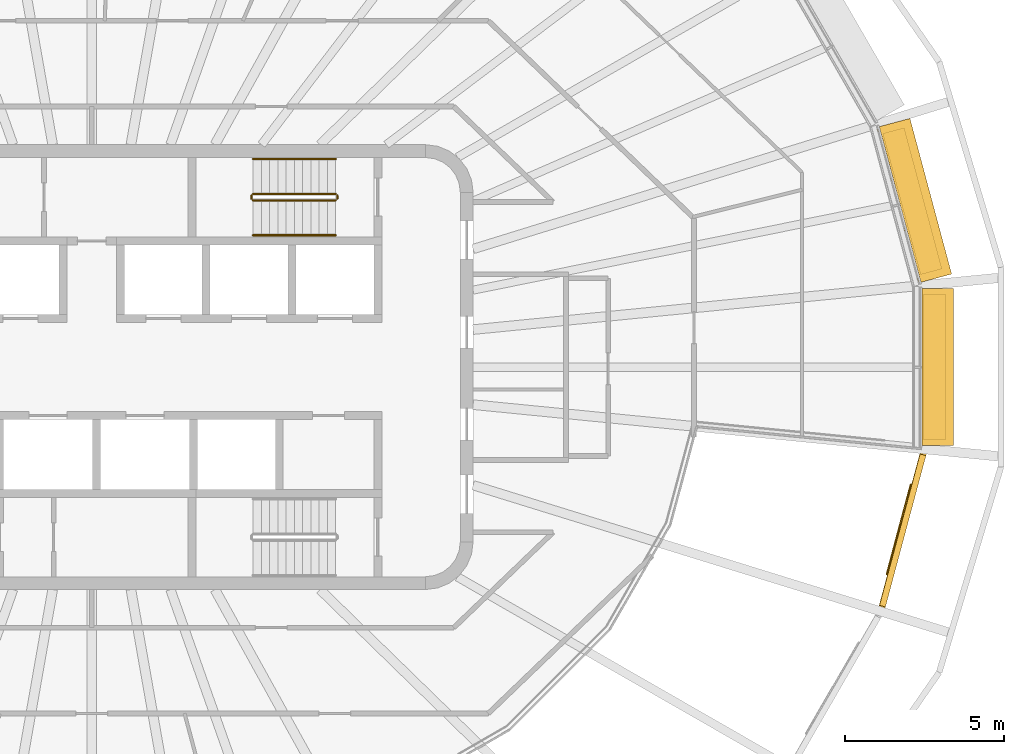
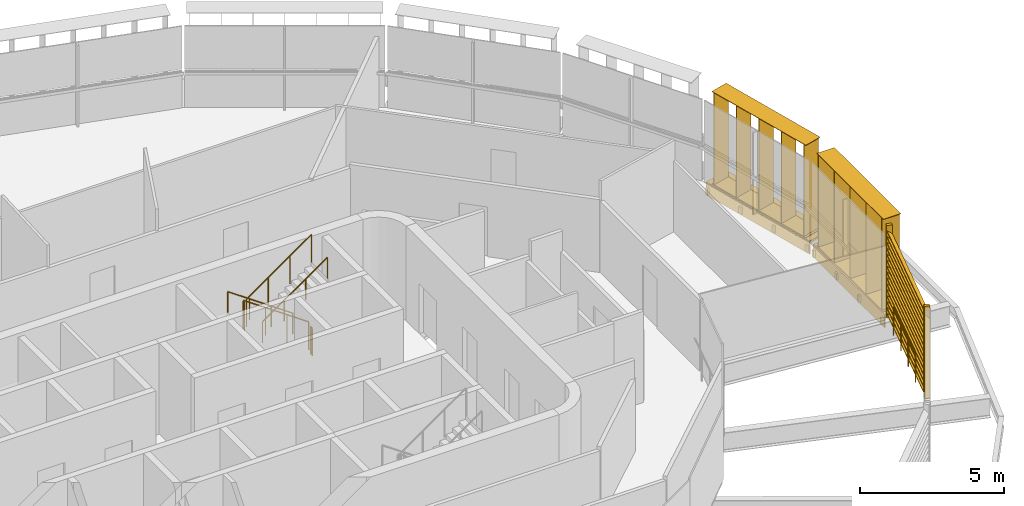
# One storey, part 17 of 18: 7 railings, 5 shading devices.
"""IFC4 building model written with IfcOpenShell, lengths in metres."""

from ifc_helpers import new_model, si_unit, direction, frame, origin, origin_2d, place, context, subcontext, project, spatial, rectangle, circle, extrude, material, type_object, element, save


model = new_model("IFC4")

# Units and contexts
model_context = context("Model", 3, precision=1e-05, world=origin(), true_north=direction((0.0, 1.0)))
body_context = subcontext(model_context, "Body", "Model", "MODEL_VIEW")
ifc_project = project(units=[si_unit("LENGTHUNIT", "METRE"), si_unit("AREAUNIT", "SQUARE_METRE"), si_unit("VOLUMEUNIT", "CUBIC_METRE"), si_unit("PLANEANGLEUNIT", "RADIAN"), si_unit("MASSUNIT", "GRAM", prefix="KILO")], contexts=[model_context])

# Site, building, storey
site_placement = place(None, origin())
site = spatial("IfcSite", under=ifc_project, at=site_placement, CompositionType="ELEMENT")
building_placement = place(site_placement, origin())
building = spatial("IfcBuilding", under=site, at=building_placement, Name="Sahrelin Media Tower", CompositionType="ELEMENT")
storey_placement = place(building_placement, frame((0.0, 0.0, 308.39990234375)))
storey = spatial("IfcBuildingStorey", under=building, at=storey_placement, Name="L68", CompositionType="ELEMENT", Elevation=308.39990234375)

# Shading devices
ifc_material_1 = material(Name="Champagne anodised aluminium 6063-T6", Category="aluminium")
shading_device_type_1 = type_object("IfcShadingDeviceType", Name="Fin cassette", PredefinedType="USERDEFINED", material=ifc_material_1)
placement_1 = place(storey_placement, frame((26.098388671875, 0.0, 0.0), z_axis=(0.0, 0.0, 1.0), x_axis=(0.0, -1.0, 0.0)))
element("IfcShadingDevice", 1, at=placement_1, inside=storey, type_object=shading_device_type_1, Name="L68:FIN:L68-00", ObjectType="FIN", PredefinedType="USERDEFINED", context=body_context, shape_type="SweptSolid", body=[
    extrude(rectangle(XDim=4.60009765625, YDim=0.699951171875, at=origin_2d()), frame((0.0, 0.419921875, 0.0)), (0.0, 0.0, 1.0), 0.02001953125),
    extrude(rectangle(XDim=4.60009765625, YDim=0.699951171875, at=origin_2d()), frame((0.0, 0.419921875, 3.89990234375)), (0.0, 0.0, 1.0), 0.02001953125),
    extrude(rectangle(XDim=0.02001953125, YDim=0.699951171875, at=origin_2d()), frame((-2.199951171875, 0.419921875, 0.010009765625), z_axis=(0.0, 0.0, 1.0), x_axis=(1.0, 0.0, 0.0)), (0.0, 0.0, 1.0), 3.89990234375),
    extrude(rectangle(XDim=0.02001953125, YDim=0.699951171875, at=origin_2d()), frame((-1.10009765625, 0.419921875, 0.010009765625), z_axis=(0.0, 0.0, 1.0), x_axis=(1.0, 0.0, 0.0)), (0.0, 0.0, 1.0), 3.89990234375),
    extrude(rectangle(XDim=0.02001953125, YDim=0.699951171875, at=origin_2d()), frame((0.0, 0.419921875, 0.010009765625), z_axis=(0.0, 0.0, 1.0), x_axis=(1.0, 0.0, 0.0)), (0.0, 0.0, 1.0), 3.89990234375),
    extrude(rectangle(XDim=0.02001953125, YDim=0.699951171875, at=origin_2d()), frame((1.10009765625, 0.419921875, 0.010009765625), z_axis=(0.0, 0.0, 1.0), x_axis=(1.0, 0.0, 0.0)), (0.0, 0.0, 1.0), 3.89990234375),
    extrude(rectangle(XDim=0.02001953125, YDim=0.699951171875, at=origin_2d()), frame((2.199951171875, 0.419921875, 0.010009765625), z_axis=(0.0, 0.0, 1.0), x_axis=(1.0, 0.0, 0.0)), (0.0, 0.0, 1.0), 3.89990234375),
])
placement_2 = place(storey_placement, frame((25.41650390625, 5.113037109375, 0.0), z_axis=(0.0, 0.0, 1.0), x_axis=(0.258807731996, -0.965928857556, 0.0)))
element("IfcShadingDevice", 2, at=placement_2, inside=storey, type_object=shading_device_type_1, Name="L68:FIN:L68-01", ObjectType="FIN", PredefinedType="USERDEFINED", context=body_context, shape_type="SweptSolid", body=[
    extrude(rectangle(XDim=4.60009765625, YDim=0.699951171875, at=origin_2d()), frame((0.0, 0.419921875, 0.0)), (0.0, 0.0, 1.0), 0.02001953125),
    extrude(rectangle(XDim=4.60009765625, YDim=0.699951171875, at=origin_2d()), frame((0.0, 0.419921875, 3.89990234375)), (0.0, 0.0, 1.0), 0.02001953125),
    extrude(rectangle(XDim=0.02001953125, YDim=0.699951171875, at=origin_2d()), frame((-2.199951171875, 0.419921875, 0.010009765625), z_axis=(0.0, 0.0, 1.0), x_axis=(1.0, 0.0, 0.0)), (0.0, 0.0, 1.0), 3.89990234375),
    extrude(rectangle(XDim=0.02001953125, YDim=0.699951171875, at=origin_2d()), frame((-1.10009765625, 0.419921875, 0.010009765625), z_axis=(0.0, 0.0, 1.0), x_axis=(1.0, 0.0, 0.0)), (0.0, 0.0, 1.0), 3.89990234375),
    extrude(rectangle(XDim=0.02001953125, YDim=0.699951171875, at=origin_2d()), frame((0.0, 0.419921875, 0.010009765625), z_axis=(0.0, 0.0, 1.0), x_axis=(1.0, 0.0, 0.0)), (0.0, 0.0, 1.0), 3.89990234375),
    extrude(rectangle(XDim=0.02001953125, YDim=0.699951171875, at=origin_2d()), frame((1.10009765625, 0.419921875, 0.010009765625), z_axis=(0.0, 0.0, 1.0), x_axis=(1.0, 0.0, 0.0)), (0.0, 0.0, 1.0), 3.89990234375),
    extrude(rectangle(XDim=0.02001953125, YDim=0.699951171875, at=origin_2d()), frame((2.199951171875, 0.419921875, 0.010009765625), z_axis=(0.0, 0.0, 1.0), x_axis=(1.0, 0.0, 0.0)), (0.0, 0.0, 1.0), 3.89990234375),
])
shading_device_type_2 = type_object("IfcShadingDeviceType", Name="Garden screen", PredefinedType="USERDEFINED", material=ifc_material_1)
shading_device_3_placement = place(storey_placement, frame((25.41650390625, -5.113037109375, 0.0), z_axis=(0.0, 0.0, 1.0), x_axis=(-0.258807731996, -0.965928857556, 0.0)))
element("IfcShadingDevice", 3, at=shading_device_3_placement, inside=storey, type_object=shading_device_type_2, Name="L68:SCREEN:L68-23", ObjectType="SCREEN", PredefinedType="USERDEFINED", context=body_context, shape_type="SweptSolid", body=[
    extrude(rectangle(XDim=0.1201171875, YDim=0.199951171875, at=origin_2d()), frame((2.52490234375, 0.10009765625, 0.050048828125), z_axis=(0.0, 0.0, 1.0), x_axis=(1.0, 0.0, 0.0)), (0.0, 0.0, 1.0), 3.89990234375),
    extrude(rectangle(XDim=0.1201171875, YDim=0.199951171875, at=origin_2d()), frame((-2.52490234375, 0.10009765625, 0.050048828125), z_axis=(0.0, 0.0, 1.0), x_axis=(1.0, 0.0, 0.0)), (0.0, 0.0, 1.0), 3.89990234375),
    extrude(rectangle(XDim=0.25, YDim=0.02001953125, at=origin_2d()), frame((2.465087890625, 0.10009765625, 0.14990234375), z_axis=(-1.0, 0.0, 0.0), x_axis=(0.0, -0.766044443119, 0.642787609687)), (0.0, 0.0, 1.0), 4.93017578125),
    extrude(rectangle(XDim=0.25, YDim=0.02001953125, at=origin_2d()), frame((2.465087890625, 0.10009765625, 0.39990234375), z_axis=(-1.0, 0.0, 0.0), x_axis=(0.0, -0.766044443119, 0.642787609687)), (0.0, 0.0, 1.0), 4.93017578125),
    extrude(rectangle(XDim=0.25, YDim=0.02001953125, at=origin_2d()), frame((2.465087890625, 0.10009765625, 0.64990234375), z_axis=(-1.0, 0.0, 0.0), x_axis=(0.0, -0.766044443119, 0.642787609687)), (0.0, 0.0, 1.0), 4.93017578125),
    extrude(rectangle(XDim=0.25, YDim=0.02001953125, at=origin_2d()), frame((2.465087890625, 0.10009765625, 0.89990234375), z_axis=(-1.0, 0.0, 0.0), x_axis=(0.0, -0.766044443119, 0.642787609687)), (0.0, 0.0, 1.0), 4.93017578125),
    extrude(rectangle(XDim=0.25, YDim=0.02001953125, at=origin_2d()), frame((2.465087890625, 0.10009765625, 1.14990234375), z_axis=(-1.0, 0.0, 0.0), x_axis=(0.0, -0.766044443119, 0.642787609687)), (0.0, 0.0, 1.0), 4.93017578125),
    extrude(rectangle(XDim=0.25, YDim=0.02001953125, at=origin_2d()), frame((2.465087890625, 0.10009765625, 1.39990234375), z_axis=(-1.0, 0.0, 0.0), x_axis=(0.0, -0.766044443119, 0.642787609687)), (0.0, 0.0, 1.0), 4.93017578125),
    extrude(rectangle(XDim=0.25, YDim=0.02001953125, at=origin_2d()), frame((2.465087890625, 0.10009765625, 1.64990234375), z_axis=(-1.0, 0.0, 0.0), x_axis=(0.0, -0.766044443119, 0.642787609687)), (0.0, 0.0, 1.0), 4.93017578125),
    extrude(rectangle(XDim=0.25, YDim=0.02001953125, at=origin_2d()), frame((2.465087890625, 0.10009765625, 1.89990234375), z_axis=(-1.0, 0.0, 0.0), x_axis=(0.0, -0.766044443119, 0.642787609687)), (0.0, 0.0, 1.0), 4.93017578125),
    extrude(rectangle(XDim=0.25, YDim=0.02001953125, at=origin_2d()), frame((2.465087890625, 0.10009765625, 2.14990234375), z_axis=(-1.0, 0.0, 0.0), x_axis=(0.0, -0.766044443119, 0.642787609687)), (0.0, 0.0, 1.0), 4.93017578125),
    extrude(rectangle(XDim=0.25, YDim=0.02001953125, at=origin_2d()), frame((2.465087890625, 0.10009765625, 2.39990234375), z_axis=(-1.0, 0.0, 0.0), x_axis=(0.0, -0.766044443119, 0.642787609687)), (0.0, 0.0, 1.0), 4.93017578125),
    extrude(rectangle(XDim=0.25, YDim=0.02001953125, at=origin_2d()), frame((2.465087890625, 0.10009765625, 2.64990234375), z_axis=(-1.0, 0.0, 0.0), x_axis=(0.0, -0.766044443119, 0.642787609687)), (0.0, 0.0, 1.0), 4.93017578125),
    extrude(rectangle(XDim=0.25, YDim=0.02001953125, at=origin_2d()), frame((2.465087890625, 0.10009765625, 2.89990234375), z_axis=(-1.0, 0.0, 0.0), x_axis=(0.0, -0.766044443119, 0.642787609687)), (0.0, 0.0, 1.0), 4.93017578125),
    extrude(rectangle(XDim=0.25, YDim=0.02001953125, at=origin_2d()), frame((2.465087890625, 0.10009765625, 3.14990234375), z_axis=(-1.0, 0.0, 0.0), x_axis=(0.0, -0.766044443119, 0.642787609687)), (0.0, 0.0, 1.0), 4.93017578125),
    extrude(rectangle(XDim=0.25, YDim=0.02001953125, at=origin_2d()), frame((2.465087890625, 0.10009765625, 3.39990234375), z_axis=(-1.0, 0.0, 0.0), x_axis=(0.0, -0.766044443119, 0.642787609687)), (0.0, 0.0, 1.0), 4.93017578125),
    extrude(rectangle(XDim=0.25, YDim=0.02001953125, at=origin_2d()), frame((2.465087890625, 0.10009765625, 3.64990234375), z_axis=(-1.0, 0.0, 0.0), x_axis=(0.0, -0.766044443119, 0.642787609687)), (0.0, 0.0, 1.0), 4.93017578125),
])

# Railings
ifc_material_2 = material(Name="Stainless steel 316", Category="steel")
railing_type_1 = type_object("IfcRailingType", Name="Sky garden guard", PredefinedType="GUARDRAIL", material=ifc_material_2)
railing_1_placement = place(storey_placement, frame((25.77294921875, -3.6962890625, 0.0)))
element("IfcRailing", 4, at=railing_1_placement, inside=storey, type_object=railing_type_1, Name="Sky garden void guard G6-2", PredefinedType="GUARDRAIL", context=body_context, shape_type="SweptSolid", body=[
    extrude(circle(Radius=0.02392578125, at=origin_2d()), frame((0.0, 0.0, 1.17578125), z_axis=(-0.258848920045, -0.965917820827, 0.0), x_axis=(0.965917820827, -0.258848920045, 0.0)), (0.0, 0.0, 1.0), 2.920166015625),
    extrude(circle(Radius=0.02099609375, at=origin_2d()), origin(), (0.0, 0.0, 1.0), 1.15185546875),
    extrude(circle(Radius=0.02099609375, at=origin_2d()), frame((-0.251953125, -0.940185546875, 0.0)), (0.0, 0.0, 1.0), 1.15185546875),
    extrude(circle(Radius=0.02099609375, at=origin_2d()), frame((-0.50390625, -1.88037109375, 0.0)), (0.0, 0.0, 1.0), 1.15185546875),
    extrude(circle(Radius=0.02099609375, at=origin_2d()), frame((-0.755859375, -2.820556640625, 0.0)), (0.0, 0.0, 1.0), 1.15185546875),
])
ifc_material_3 = material(Name="Steel S355", Category="steel")
railing_type_2 = type_object("IfcRailingType", Name="Stair guard 1200", PredefinedType="GUARDRAIL", material=ifc_material_3)
railing_2_placement = place(storey_placement, frame((7.675048828125, 5.449951171875, 0.181884765625)))
element("IfcRailing", 5, at=railing_2_placement, inside=storey, type_object=railing_type_2, Name="L68 ST3 stair guard 1", PredefinedType="GUARDRAIL", context=body_context, shape_type="SweptSolid", body=[
    extrude(circle(Radius=0.02392578125, at=origin_2d()), frame((0.0, 0.0, 1.17578125), z_axis=(-0.819521025635, 0.0, 0.573049115296), x_axis=(0.0, -1.0, 0.0)), (0.0, 0.0, 1.0), 3.172607421875),
    extrude(circle(Radius=0.02099609375, at=origin_2d()), origin(), (0.0, 0.0, 1.0), 1.15185546875),
    extrude(circle(Radius=0.02099609375, at=origin_2d()), frame((-0.86669921875, 0.0, 0.60595703125)), (0.0, 0.0, 1.0), 1.15185546875),
    extrude(circle(Radius=0.02099609375, at=origin_2d()), frame((-1.7333984375, 0.0, 1.212158203125)), (0.0, 0.0, 1.0), 1.15185546875),
    extrude(circle(Radius=0.02099609375, at=origin_2d()), frame((-2.60009765625, 0.0, 1.818115234375)), (0.0, 0.0, 1.0), 1.15185546875),
])
railing_3_placement = place(storey_placement, frame((5.02490234375, 5.39990234375, 2.0)))
element("IfcRailing", 6, at=railing_3_placement, inside=storey, type_object=railing_type_2, Name="L68 ST3 stair guard 2", PredefinedType="GUARDRAIL", context=body_context, shape_type="SweptSolid", body=[
    extrude(circle(Radius=0.02392578125, at=origin_2d()), frame((0.0, 0.0, 1.17578125), z_axis=(0.0, -1.0, 0.0), x_axis=(1.0, 0.0, 0.0)), (0.0, 0.0, 1.0), 0.099853515625),
    extrude(circle(Radius=0.02099609375, at=origin_2d()), origin(), (0.0, 0.0, 1.0), 1.15185546875),
    extrude(circle(Radius=0.02099609375, at=origin_2d()), frame((0.0, -0.099853515625, 0.0)), (0.0, 0.0, 1.0), 1.15185546875),
])
railing_4_placement = place(storey_placement, frame((5.074951171875, 5.25, 2.181884765625)))
element("IfcRailing", 7, at=railing_4_placement, inside=storey, type_object=railing_type_2, Name="L68 ST3 stair guard 3", PredefinedType="GUARDRAIL", context=body_context, shape_type="SweptSolid", body=[
    extrude(circle(Radius=0.02392578125, at=origin_2d()), frame((0.0, 0.0, 1.17578125), z_axis=(0.819521025635, 0.0, 0.573049115296), x_axis=(0.0, 1.0, 0.0)), (0.0, 0.0, 1.0), 3.172607421875),
    extrude(circle(Radius=0.02099609375, at=origin_2d()), origin(), (0.0, 0.0, 1.0), 1.15185546875),
    extrude(circle(Radius=0.02099609375, at=origin_2d()), frame((0.86669921875, 0.0, 0.60595703125)), (0.0, 0.0, 1.0), 1.15185546875),
    extrude(circle(Radius=0.02099609375, at=origin_2d()), frame((1.7333984375, 0.0, 1.212158203125)), (0.0, 0.0, 1.0), 1.15185546875),
    extrude(circle(Radius=0.02099609375, at=origin_2d()), frame((2.60009765625, 0.0, 1.818115234375)), (0.0, 0.0, 1.0), 1.15185546875),
])
railing_5_placement = place(storey_placement, frame((7.72509765625, 5.39990234375, 0.0)))
element("IfcRailing", 8, at=railing_5_placement, inside=storey, type_object=railing_type_2, Name="L68 ST3 stair guard 4", PredefinedType="GUARDRAIL", context=body_context, shape_type="SweptSolid", body=[
    extrude(circle(Radius=0.02392578125, at=origin_2d()), frame((0.0, 0.0, 1.17578125), z_axis=(0.0, -1.0, 0.0), x_axis=(1.0, 0.0, 0.0)), (0.0, 0.0, 1.0), 0.099853515625),
    extrude(circle(Radius=0.02099609375, at=origin_2d()), origin(), (0.0, 0.0, 1.0), 1.15185546875),
    extrude(circle(Radius=0.02099609375, at=origin_2d()), frame((0.0, -0.099853515625, 0.0)), (0.0, 0.0, 1.0), 1.15185546875),
])
railing_type_3 = type_object("IfcRailingType", Name="Stair handrail 900", PredefinedType="HANDRAIL", material=ifc_material_3)
railing_6_placement = place(storey_placement, frame((7.675048828125, 6.550048828125, 0.181884765625)))
element("IfcRailing", 9, at=railing_6_placement, inside=storey, type_object=railing_type_3, Name="L68 ST3 stair handrail 1", PredefinedType="HANDRAIL", context=body_context, shape_type="SweptSolid", body=[
    extrude(circle(Radius=0.02392578125, at=origin_2d()), frame((0.0, 0.0, 0.8759765625), z_axis=(-0.819521025635, 0.0, 0.573049115296), x_axis=(0.0, -1.0, 0.0)), (0.0, 0.0, 1.0), 3.172607421875),
    extrude(circle(Radius=0.02099609375, at=origin_2d()), origin(), (0.0, 0.0, 1.0), 0.851806640625),
    extrude(circle(Radius=0.02099609375, at=origin_2d()), frame((-0.86669921875, 0.0, 0.60595703125)), (0.0, 0.0, 1.0), 0.851806640625),
    extrude(circle(Radius=0.02099609375, at=origin_2d()), frame((-1.7333984375, 0.0, 1.212158203125)), (0.0, 0.0, 1.0), 0.851806640625),
    extrude(circle(Radius=0.02099609375, at=origin_2d()), frame((-2.60009765625, 0.0, 1.818115234375)), (0.0, 0.0, 1.0), 0.851806640625),
])
railing_7_placement = place(storey_placement, frame((5.074951171875, 4.14990234375, 2.181884765625)))
element("IfcRailing", 10, at=railing_7_placement, inside=storey, type_object=railing_type_3, Name="L68 ST3 stair handrail 2", PredefinedType="HANDRAIL", context=body_context, shape_type="SweptSolid", body=[
    extrude(circle(Radius=0.02392578125, at=origin_2d()), frame((0.0, 0.0, 0.8759765625), z_axis=(0.819521025635, 0.0, 0.573049115296), x_axis=(0.0, 1.0, 0.0)), (0.0, 0.0, 1.0), 3.172607421875),
    extrude(circle(Radius=0.02099609375, at=origin_2d()), origin(), (0.0, 0.0, 1.0), 0.851806640625),
    extrude(circle(Radius=0.02099609375, at=origin_2d()), frame((0.86669921875, 0.0, 0.60595703125)), (0.0, 0.0, 1.0), 0.851806640625),
    extrude(circle(Radius=0.02099609375, at=origin_2d()), frame((1.7333984375, 0.0, 1.212158203125)), (0.0, 0.0, 1.0), 0.851806640625),
    extrude(circle(Radius=0.02099609375, at=origin_2d()), frame((2.60009765625, 0.0, 1.818115234375)), (0.0, 0.0, 1.0), 0.851806640625),
])

# Shading devices
shading_device_type_3 = type_object("IfcShadingDeviceType", Name="Sunshade band", PredefinedType="USERDEFINED", material=ifc_material_1)
element("IfcShadingDevice", 11, at=placement_1, inside=storey, type_object=shading_device_type_3, Name="L68:SUN:L68-00", ObjectType="SUNSHADE", PredefinedType="USERDEFINED", context=body_context, shape_type="SweptSolid", body=[
    extrude(rectangle(XDim=4.935791015625, YDim=0.050048828125, at=origin_2d()), frame((0.0, 0.044921875, -0.55126953125)), (0.0, 0.0, 1.0), 0.471435546875),
    extrude(rectangle(XDim=4.935791015625, YDim=1.0, at=origin_2d()), frame((0.0, 0.52001953125, -0.080078125)), (0.0, 0.0, 1.0), 0.080078125),
    extrude(rectangle(XDim=0.10009765625, YDim=0.074951171875, at=origin_2d()), frame((-2.367919921875, -0.017578125, -0.47021484375)), (0.0, 0.0, 1.0), 0.300048828125),
    extrude(rectangle(XDim=0.10009765625, YDim=0.074951171875, at=origin_2d()), frame((-0.789306640625, -0.017578125, -0.47021484375)), (0.0, 0.0, 1.0), 0.300048828125),
    extrude(rectangle(XDim=0.10009765625, YDim=0.074951171875, at=origin_2d()), frame((0.789306640625, -0.017578125, -0.47021484375)), (0.0, 0.0, 1.0), 0.300048828125),
    extrude(rectangle(XDim=0.10009765625, YDim=0.074951171875, at=origin_2d()), frame((2.367919921875, -0.017578125, -0.47021484375)), (0.0, 0.0, 1.0), 0.300048828125),
])
element("IfcShadingDevice", 12, at=placement_2, inside=storey, type_object=shading_device_type_3, Name="L68:SUN:L68-01", ObjectType="SUNSHADE", PredefinedType="USERDEFINED", context=body_context, shape_type="SweptSolid", body=[
    extrude(rectangle(XDim=5.070068359375, YDim=0.050048828125, at=origin_2d()), frame((0.0, 0.044921875, -0.55126953125)), (0.0, 0.0, 1.0), 0.471435546875),
    extrude(rectangle(XDim=5.070068359375, YDim=1.0, at=origin_2d()), frame((0.0, 0.52001953125, -0.080078125)), (0.0, 0.0, 1.0), 0.080078125),
    extrude(rectangle(XDim=0.10009765625, YDim=0.074951171875, at=origin_2d()), frame((-2.43505859375, -0.017578125, -0.47021484375)), (0.0, 0.0, 1.0), 0.300048828125),
    extrude(rectangle(XDim=0.10009765625, YDim=0.074951171875, at=origin_2d()), frame((-0.811767578125, -0.017578125, -0.47021484375)), (0.0, 0.0, 1.0), 0.300048828125),
    extrude(rectangle(XDim=0.10009765625, YDim=0.074951171875, at=origin_2d()), frame((0.811767578125, -0.017578125, -0.47021484375)), (0.0, 0.0, 1.0), 0.300048828125),
    extrude(rectangle(XDim=0.10009765625, YDim=0.074951171875, at=origin_2d()), frame((2.43505859375, -0.017578125, -0.47021484375)), (0.0, 0.0, 1.0), 0.300048828125),
])

save(model, "model.ifc")
